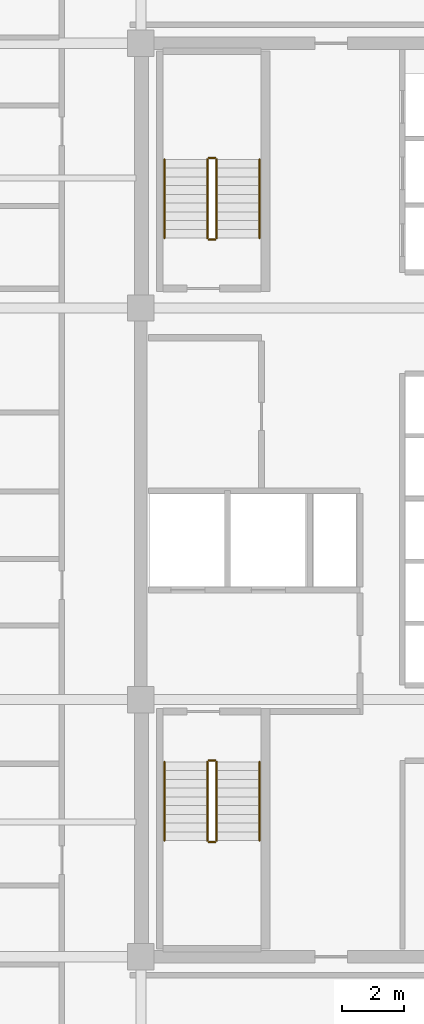
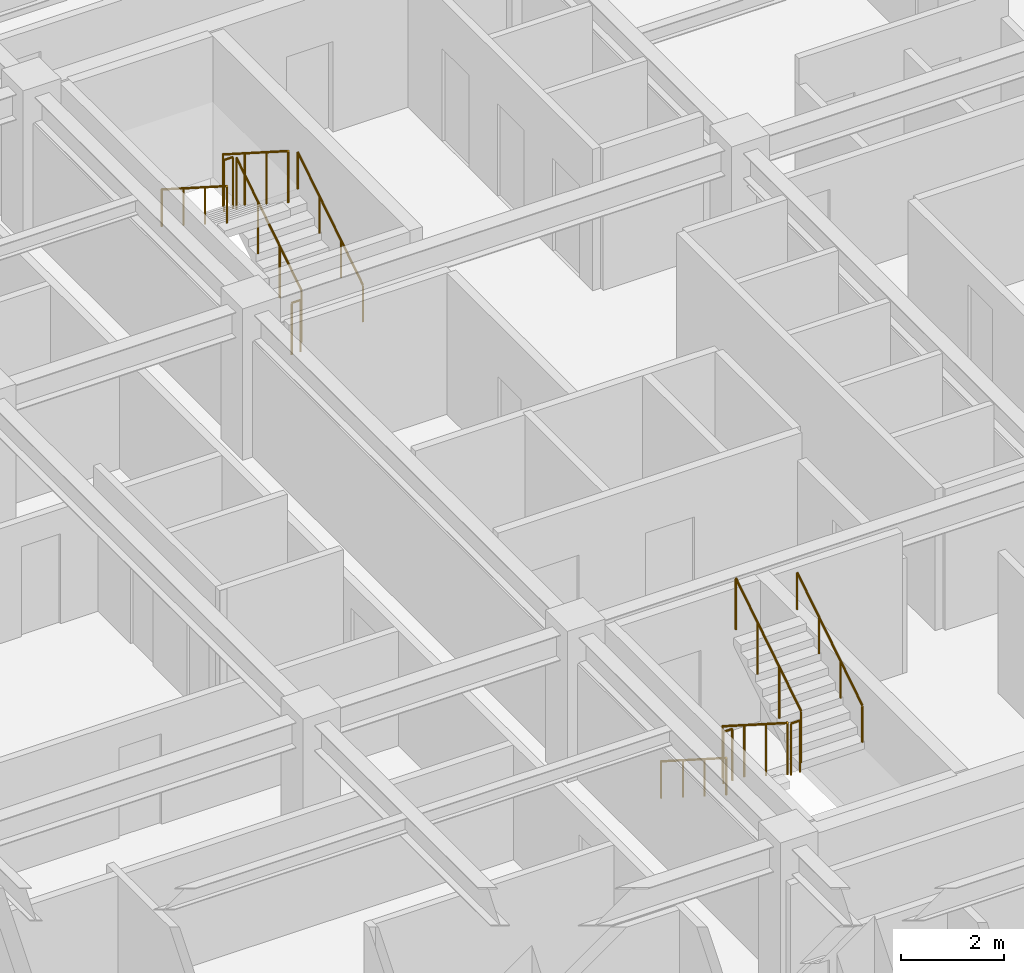
# One storey, part 8 of 8: 12 railings.
"""IFC4 building model written with IfcOpenShell, lengths in metres."""

from ifc_helpers import new_model, si_unit, direction, frame, origin, origin_2d, place, context, subcontext, project, spatial, circle, extrude, material, type_object, element, save


model = new_model("IFC4")

# Units and contexts
model_context = context("Model", 3, precision=1e-05, world=origin(), true_north=direction((0.0, 1.0)))
body_context = subcontext(model_context, "Body", "Model", "MODEL_VIEW")
ifc_project = project(units=[si_unit("LENGTHUNIT", "METRE"), si_unit("AREAUNIT", "SQUARE_METRE"), si_unit("VOLUMEUNIT", "CUBIC_METRE"), si_unit("PLANEANGLEUNIT", "RADIAN"), si_unit("MASSUNIT", "GRAM", prefix="KILO")], contexts=[model_context])

# Site, building, storey
site_placement = place(None, origin())
site = spatial("IfcSite", under=ifc_project, at=site_placement, CompositionType="ELEMENT")
building_placement = place(site_placement, origin())
building = spatial("IfcBuilding", under=site, at=building_placement, Name="Ochreholt Gables", CompositionType="ELEMENT")
storey_placement = place(building_placement, frame((0.0, 0.0, 128.39990234375)))
storey = spatial("IfcBuildingStorey", under=building, at=storey_placement, Name="L33", CompositionType="ELEMENT", Elevation=128.39990234375)

# Railings
ifc_material_1 = material(Name="Painted Steel Stair Guardrail", Category="steel")
railing_type_1 = type_object("IfcRailingType", Name="RL-ST-GUARD", PredefinedType="GUARDRAIL", material=ifc_material_1)
railing_1_placement = place(storey_placement, frame((26.35009765625, 15.5400390625, 0.18017578125)))
element("IfcRailing", 1, at=railing_1_placement, inside=storey, type_object=railing_type_1, Name="L33 ST-1 stair guard 1", PredefinedType="GUARDRAIL", context=body_context, shape_type="SweptSolid", body=[
    extrude(circle(Radius=0.02392578125, at=origin_2d()), frame((0.0, 0.0, 1.22607421875), z_axis=(0.0, -0.842949592929, 0.537992549931), x_axis=(1.0, 0.0, 0.0)), (0.0, 0.0, 1.0), 3.010986328125),
    extrude(circle(Radius=0.02099609375, at=origin_2d()), origin(), (0.0, 0.0, 1.0), 1.201904296875),
    extrude(circle(Radius=0.02099609375, at=origin_2d()), frame((0.0, -0.845947265625, 0.5400390625)), (0.0, 0.0, 1.0), 1.201904296875),
    extrude(circle(Radius=0.02099609375, at=origin_2d()), frame((0.0, -1.692138671875, 1.079833984375)), (0.0, 0.0, 1.0), 1.201904296875),
    extrude(circle(Radius=0.02099609375, at=origin_2d()), frame((0.0, -2.5380859375, 1.619873046875)), (0.0, 0.0, 1.0), 1.201904296875),
])
railing_2_placement = place(storey_placement, frame((26.39990234375, 12.951904296875, 1.800048828125)))
element("IfcRailing", 2, at=railing_2_placement, inside=storey, type_object=railing_type_1, Name="L33 ST-1 stair guard 2", PredefinedType="GUARDRAIL", context=body_context, shape_type="SweptSolid", body=[
    extrude(circle(Radius=0.02392578125, at=origin_2d()), frame((0.0, 0.0, 1.22607421875), z_axis=(1.0, 0.0, 0.0), x_axis=(0.0, 1.0, 0.0)), (0.0, 0.0, 1.0), 0.2001953125),
    extrude(circle(Radius=0.02099609375, at=origin_2d()), origin(), (0.0, 0.0, 1.0), 1.201904296875),
    extrude(circle(Radius=0.02099609375, at=origin_2d()), frame((0.2001953125, 0.0, 0.0)), (0.0, 0.0, 1.0), 1.201904296875),
])
railing_3_placement = place(storey_placement, frame((26.64990234375, 13.001953125, 1.97998046875)))
element("IfcRailing", 3, at=railing_3_placement, inside=storey, type_object=railing_type_1, Name="L33 ST-1 stair guard 3", PredefinedType="GUARDRAIL", context=body_context, shape_type="SweptSolid", body=[
    extrude(circle(Radius=0.02392578125, at=origin_2d()), frame((0.0, 0.0, 1.22607421875), z_axis=(0.0, 0.842912820907, 0.538050161556), x_axis=(-1.0, 0.0, 0.0)), (0.0, 0.0, 1.0), 3.010986328125),
    extrude(circle(Radius=0.02099609375, at=origin_2d()), origin(), (0.0, 0.0, 1.0), 1.201904296875),
    extrude(circle(Radius=0.02099609375, at=origin_2d()), frame((0.0, 0.845947265625, 0.5400390625)), (0.0, 0.0, 1.0), 1.201904296875),
    extrude(circle(Radius=0.02099609375, at=origin_2d()), frame((0.0, 1.692138671875, 1.080078125)), (0.0, 0.0, 1.0), 1.201904296875),
    extrude(circle(Radius=0.02099609375, at=origin_2d()), frame((0.0, 2.5380859375, 1.6201171875)), (0.0, 0.0, 1.0), 1.201904296875),
])
railing_4_placement = place(storey_placement, frame((26.39990234375, 15.590087890625, 0.0)))
element("IfcRailing", 4, at=railing_4_placement, inside=storey, type_object=railing_type_1, Name="L33 ST-1 stair guard 4", PredefinedType="GUARDRAIL", context=body_context, shape_type="SweptSolid", body=[
    extrude(circle(Radius=0.02392578125, at=origin_2d()), frame((0.0, 0.0, 1.22607421875), z_axis=(1.0, 0.0, 0.0), x_axis=(0.0, 1.0, 0.0)), (0.0, 0.0, 1.0), 0.2001953125),
    extrude(circle(Radius=0.02099609375, at=origin_2d()), origin(), (0.0, 0.0, 1.0), 1.201904296875),
    extrude(circle(Radius=0.02099609375, at=origin_2d()), frame((0.2001953125, 0.0, 0.0)), (0.0, 0.0, 1.0), 1.201904296875),
])
railing_5_placement = place(storey_placement, frame((26.64990234375, 32.4599609375, 0.18017578125)))
element("IfcRailing", 5, at=railing_5_placement, inside=storey, type_object=railing_type_1, Name="L33 ST-2 stair guard 1", PredefinedType="GUARDRAIL", context=body_context, shape_type="SweptSolid", body=[
    extrude(circle(Radius=0.02392578125, at=origin_2d()), frame((0.0, 0.0, 1.22607421875), z_axis=(0.0, 0.842949592929, 0.537992549931), x_axis=(-1.0, 0.0, 0.0)), (0.0, 0.0, 1.0), 3.010986328125),
    extrude(circle(Radius=0.02099609375, at=origin_2d()), origin(), (0.0, 0.0, 1.0), 1.201904296875),
    extrude(circle(Radius=0.02099609375, at=origin_2d()), frame((0.0, 0.845947265625, 0.5400390625)), (0.0, 0.0, 1.0), 1.201904296875),
    extrude(circle(Radius=0.02099609375, at=origin_2d()), frame((0.0, 1.692138671875, 1.079833984375)), (0.0, 0.0, 1.0), 1.201904296875),
    extrude(circle(Radius=0.02099609375, at=origin_2d()), frame((0.0, 2.5380859375, 1.619873046875)), (0.0, 0.0, 1.0), 1.201904296875),
])
railing_6_placement = place(storey_placement, frame((26.60009765625, 35.048095703125, 1.800048828125)))
element("IfcRailing", 6, at=railing_6_placement, inside=storey, type_object=railing_type_1, Name="L33 ST-2 stair guard 2", PredefinedType="GUARDRAIL", context=body_context, shape_type="SweptSolid", body=[
    extrude(circle(Radius=0.02392578125, at=origin_2d()), frame((0.0, 0.0, 1.22607421875), z_axis=(-1.0, 0.0, 0.0), x_axis=(0.0, -1.0, 0.0)), (0.0, 0.0, 1.0), 0.2001953125),
    extrude(circle(Radius=0.02099609375, at=origin_2d()), origin(), (0.0, 0.0, 1.0), 1.201904296875),
    extrude(circle(Radius=0.02099609375, at=origin_2d()), frame((-0.2001953125, 0.0, 0.0)), (0.0, 0.0, 1.0), 1.201904296875),
])
railing_7_placement = place(storey_placement, frame((26.35009765625, 34.998046875, 1.97998046875)))
element("IfcRailing", 7, at=railing_7_placement, inside=storey, type_object=railing_type_1, Name="L33 ST-2 stair guard 3", PredefinedType="GUARDRAIL", context=body_context, shape_type="SweptSolid", body=[
    extrude(circle(Radius=0.02392578125, at=origin_2d()), frame((0.0, 0.0, 1.22607421875), z_axis=(0.0, -0.842912820907, 0.538050161556), x_axis=(1.0, 0.0, 0.0)), (0.0, 0.0, 1.0), 3.010986328125),
    extrude(circle(Radius=0.02099609375, at=origin_2d()), origin(), (0.0, 0.0, 1.0), 1.201904296875),
    extrude(circle(Radius=0.02099609375, at=origin_2d()), frame((0.0, -0.845947265625, 0.5400390625)), (0.0, 0.0, 1.0), 1.201904296875),
    extrude(circle(Radius=0.02099609375, at=origin_2d()), frame((0.0, -1.692138671875, 1.080078125)), (0.0, 0.0, 1.0), 1.201904296875),
    extrude(circle(Radius=0.02099609375, at=origin_2d()), frame((0.0, -2.5380859375, 1.6201171875)), (0.0, 0.0, 1.0), 1.201904296875),
])
railing_8_placement = place(storey_placement, frame((26.60009765625, 32.409912109375, 0.0)))
element("IfcRailing", 8, at=railing_8_placement, inside=storey, type_object=railing_type_1, Name="L33 ST-2 stair guard 4", PredefinedType="GUARDRAIL", context=body_context, shape_type="SweptSolid", body=[
    extrude(circle(Radius=0.02392578125, at=origin_2d()), frame((0.0, 0.0, 1.22607421875), z_axis=(-1.0, 0.0, 0.0), x_axis=(0.0, -1.0, 0.0)), (0.0, 0.0, 1.0), 0.2001953125),
    extrude(circle(Radius=0.02099609375, at=origin_2d()), origin(), (0.0, 0.0, 1.0), 1.201904296875),
    extrude(circle(Radius=0.02099609375, at=origin_2d()), frame((-0.2001953125, 0.0, 0.0)), (0.0, 0.0, 1.0), 1.201904296875),
])
ifc_material_2 = material(Name="Brushed Stainless Steel Wall Handrail", Category="steel")
railing_type_2 = type_object("IfcRailingType", Name="RL-ST-HAND", PredefinedType="HANDRAIL", material=ifc_material_2)
railing_9_placement = place(storey_placement, frame((24.969970703125, 15.5400390625, 0.18017578125)))
element("IfcRailing", 9, at=railing_9_placement, inside=storey, type_object=railing_type_2, Name="L33 ST-1 stair handrail 1", PredefinedType="HANDRAIL", context=body_context, shape_type="SweptSolid", body=[
    extrude(circle(Radius=0.02392578125, at=origin_2d()), frame((0.0, 0.0, 0.8759765625), z_axis=(0.0, -0.842949592929, 0.537992549931), x_axis=(1.0, 0.0, 0.0)), (0.0, 0.0, 1.0), 3.010986328125),
    extrude(circle(Radius=0.02099609375, at=origin_2d()), origin(), (0.0, 0.0, 1.0), 0.851806640625),
    extrude(circle(Radius=0.02099609375, at=origin_2d()), frame((0.0, -0.845947265625, 0.5400390625)), (0.0, 0.0, 1.0), 0.851806640625),
    extrude(circle(Radius=0.02099609375, at=origin_2d()), frame((0.0, -1.692138671875, 1.079833984375)), (0.0, 0.0, 1.0), 0.851806640625),
    extrude(circle(Radius=0.02099609375, at=origin_2d()), frame((0.0, -2.5380859375, 1.619873046875)), (0.0, 0.0, 1.0), 0.851806640625),
])
railing_10_placement = place(storey_placement, frame((28.030029296875, 13.001953125, 1.97998046875)))
element("IfcRailing", 10, at=railing_10_placement, inside=storey, type_object=railing_type_2, Name="L33 ST-1 stair handrail 2", PredefinedType="HANDRAIL", context=body_context, shape_type="SweptSolid", body=[
    extrude(circle(Radius=0.02392578125, at=origin_2d()), frame((0.0, 0.0, 0.8759765625), z_axis=(0.0, 0.842912820907, 0.538050161556), x_axis=(-1.0, 0.0, 0.0)), (0.0, 0.0, 1.0), 3.010986328125),
    extrude(circle(Radius=0.02099609375, at=origin_2d()), origin(), (0.0, 0.0, 1.0), 0.851806640625),
    extrude(circle(Radius=0.02099609375, at=origin_2d()), frame((0.0, 0.845947265625, 0.5400390625)), (0.0, 0.0, 1.0), 0.851806640625),
    extrude(circle(Radius=0.02099609375, at=origin_2d()), frame((0.0, 1.692138671875, 1.080078125)), (0.0, 0.0, 1.0), 0.851806640625),
    extrude(circle(Radius=0.02099609375, at=origin_2d()), frame((0.0, 2.5380859375, 1.6201171875)), (0.0, 0.0, 1.0), 0.851806640625),
])
railing_11_placement = place(storey_placement, frame((28.030029296875, 32.4599609375, 0.18017578125)))
element("IfcRailing", 11, at=railing_11_placement, inside=storey, type_object=railing_type_2, Name="L33 ST-2 stair handrail 1", PredefinedType="HANDRAIL", context=body_context, shape_type="SweptSolid", body=[
    extrude(circle(Radius=0.02392578125, at=origin_2d()), frame((0.0, 0.0, 0.8759765625), z_axis=(0.0, 0.842949592929, 0.537992549931), x_axis=(-1.0, 0.0, 0.0)), (0.0, 0.0, 1.0), 3.010986328125),
    extrude(circle(Radius=0.02099609375, at=origin_2d()), origin(), (0.0, 0.0, 1.0), 0.851806640625),
    extrude(circle(Radius=0.02099609375, at=origin_2d()), frame((0.0, 0.845947265625, 0.5400390625)), (0.0, 0.0, 1.0), 0.851806640625),
    extrude(circle(Radius=0.02099609375, at=origin_2d()), frame((0.0, 1.692138671875, 1.079833984375)), (0.0, 0.0, 1.0), 0.851806640625),
    extrude(circle(Radius=0.02099609375, at=origin_2d()), frame((0.0, 2.5380859375, 1.619873046875)), (0.0, 0.0, 1.0), 0.851806640625),
])
railing_12_placement = place(storey_placement, frame((24.969970703125, 34.998046875, 1.97998046875)))
element("IfcRailing", 12, at=railing_12_placement, inside=storey, type_object=railing_type_2, Name="L33 ST-2 stair handrail 2", PredefinedType="HANDRAIL", context=body_context, shape_type="SweptSolid", body=[
    extrude(circle(Radius=0.02392578125, at=origin_2d()), frame((0.0, 0.0, 0.8759765625), z_axis=(0.0, -0.842912820907, 0.538050161556), x_axis=(1.0, 0.0, 0.0)), (0.0, 0.0, 1.0), 3.010986328125),
    extrude(circle(Radius=0.02099609375, at=origin_2d()), origin(), (0.0, 0.0, 1.0), 0.851806640625),
    extrude(circle(Radius=0.02099609375, at=origin_2d()), frame((0.0, -0.845947265625, 0.5400390625)), (0.0, 0.0, 1.0), 0.851806640625),
    extrude(circle(Radius=0.02099609375, at=origin_2d()), frame((0.0, -1.692138671875, 1.080078125)), (0.0, 0.0, 1.0), 0.851806640625),
    extrude(circle(Radius=0.02099609375, at=origin_2d()), frame((0.0, -2.5380859375, 1.6201171875)), (0.0, 0.0, 1.0), 0.851806640625),
])

save(model, "model.ifc")
